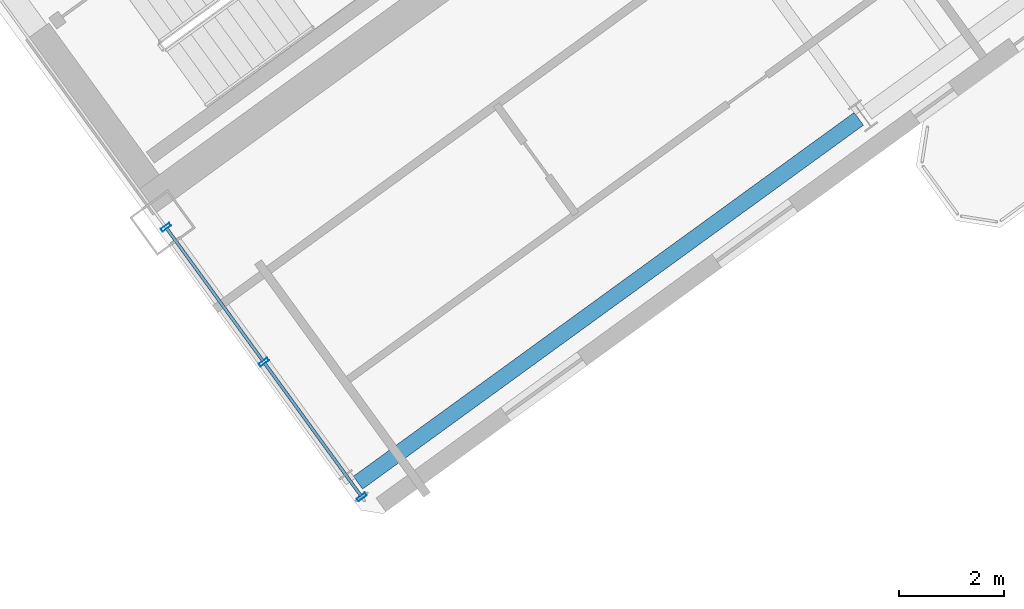
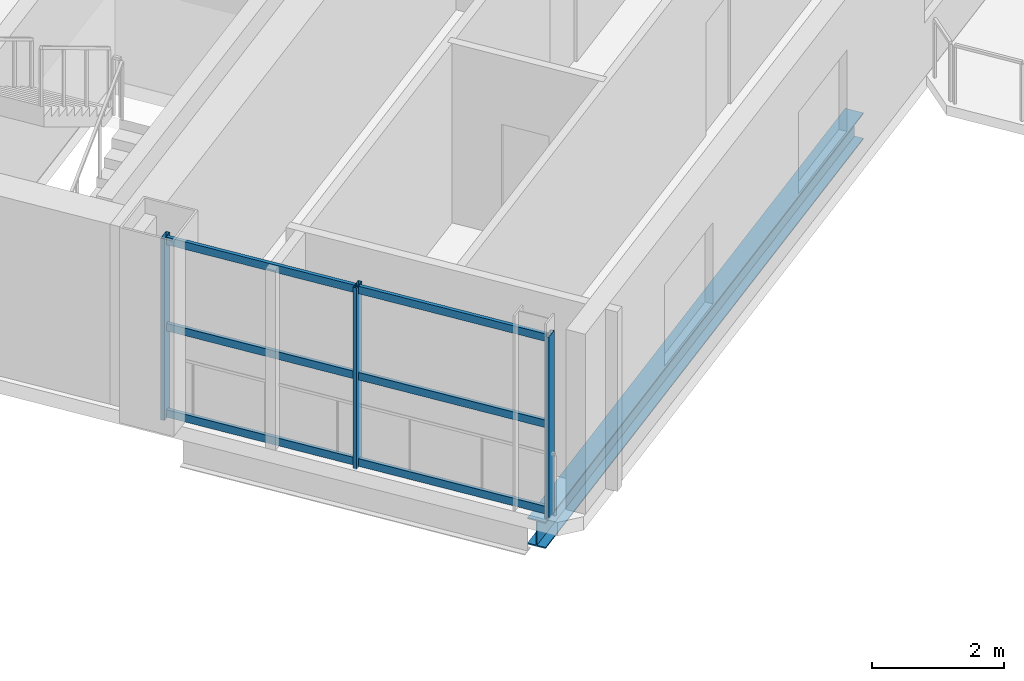
# One storey, part 8 of 18: 9 members, 1 beam, 1 element without a shape of its own.
"""IFC4 building model written with IfcOpenShell, lengths in metres."""

from ifc_helpers import new_model, si_unit, direction, frame, origin, origin_2d, place, context, subcontext, project, spatial, hollow_rectangle, i_section, extrude, source, transform, mapped, material, material_profile, profile_set, type_object, element, aggregate, save


model = new_model("IFC4")

# Units and contexts
model_context = context("Model", 3, precision=1e-05, world=origin(), true_north=direction((0.0, 1.0)))
body_context = subcontext(model_context, "Body", "Model", "MODEL_VIEW")
ifc_project = project(units=[si_unit("LENGTHUNIT", "METRE"), si_unit("AREAUNIT", "SQUARE_METRE"), si_unit("VOLUMEUNIT", "CUBIC_METRE"), si_unit("PLANEANGLEUNIT", "RADIAN"), si_unit("MASSUNIT", "GRAM", prefix="KILO")], contexts=[model_context])

# Site, building, storey
site_placement = place(None, origin())
site = spatial("IfcSite", under=ifc_project, at=site_placement, CompositionType="ELEMENT")
building_placement = place(site_placement, origin())
building = spatial("IfcBuilding", under=site, at=building_placement, Name="Tlacorven Tower", CompositionType="ELEMENT")
storey_placement = place(building_placement, frame((0.0, 0.0, 132.60009765625)))
storey = spatial("IfcBuildingStorey", under=building, at=storey_placement, Name="L33", CompositionType="ELEMENT", Elevation=132.60009765625)

# Beam
ifc_material_1 = material(Name="Steel S355J2", Category="steel")
ifc_material_profile_1 = material_profile(ifc_material_1, i_section(OverallWidth=0.300048828125, OverallDepth=0.489990234375, WebThickness=0.011962890625, FlangeThickness=0.02294921875, at=origin_2d()), Name="HEA 500")
ifc_profile_set_1 = profile_set([ifc_material_profile_1], Name="Steel S355J2")
beam_type = type_object("IfcBeamType", Name="BM-SPN-500", PredefinedType="SPANDREL", material=ifc_profile_set_1)
shared_shape_1 = source(origin(), body_context, "Body", "SweptSolid", [
    extrude(i_section(OverallWidth=0.300048828125, OverallDepth=0.489990234375, WebThickness=0.011962890625, FlangeThickness=0.02294921875, at=origin_2d()), origin(), (0.0, 0.0, 1.0), 11.800048828125),
])
beam_placement = place(storey_placement, frame((56.4306640625, 7.816162109375, -0.4951171875), z_axis=(0.80900977213, 0.587795192732, 0.0), x_axis=(-0.587795192732, 0.80900977213, 0.0)))
element("IfcBeam", 1, at=beam_placement, inside=storey, type_object=beam_type, Name="L33 beam BM-L33-EL1-1", PredefinedType="SPANDREL", context=body_context, shape_type="MappedRepresentation", body=[
    mapped(shared_shape_1, transform((0.0, 0.0, 0.0), scale=1.0)),
])

# Curtain wall, members
ifc_material_2 = material(Name="Dark solar low-E double glazing in aluminium frame", Category="aluminium")
curtain_wall_type = type_object("IfcCurtainWallType", Name="CW-TWR-MID", PredefinedType="USERDEFINED", material=ifc_material_2)
curtain_wall_placement = place(storey_placement, origin())
curtain_wall = element("IfcCurtainWall", 2, at=curtain_wall_placement, inside=storey, type_object=curtain_wall_type, Name="L33 CW-TWR-MID Curtain Wall 158", ObjectType="UNITISED CURTAIN WALL", PredefinedType="USERDEFINED")
ifc_material_3 = material(Name="Aluminium 6063-T6 anodised", Category="aluminium")
ifc_material_profile_2 = material_profile(ifc_material_3, hollow_rectangle(XDim=0.06005859375, YDim=0.139892578125, WallThickness=0.00390625, at=origin_2d()), Name="ALU TRANSOM 60X140")
ifc_profile_set_2 = profile_set([ifc_material_profile_2], Name="Aluminium 6063-T6 anodised")
member_type_1 = type_object("IfcMemberType", Name="CWT-02", PredefinedType="USERDEFINED", material=ifc_profile_set_2)
shared_shape_2 = source(origin(), body_context, "Body", "SweptSolid", [
    extrude(hollow_rectangle(XDim=0.06005859375, YDim=0.139892578125, WallThickness=0.00390625, at=origin_2d()), origin(), (0.0, 0.0, 1.0), 3.1357421875),
])
member_1_placement = place(storey_placement, frame((56.4912109375, 7.562744140625, 0.06982421875), z_axis=(-0.587810556927, 0.808998608877, 0.0), x_axis=(-0.808998608877, -0.587810556927, 0.0)))
member_1 = element("IfcMember", 3, at=member_1_placement, type_object=member_type_1, Name="CW-L33-158 Transom 1", ObjectType="TRANSOM", PredefinedType="USERDEFINED", context=body_context, shape_type="MappedRepresentation", body=[
    mapped(shared_shape_2, transform((0.0, 0.0, 0.0), scale=1.0)),
])
member_2_placement = place(storey_placement, frame((56.4912109375, 7.562744140625, 1.659912109375), z_axis=(-0.587810556927, 0.808998608877, 0.0), x_axis=(-0.808998608877, -0.587810556927, 0.0)))
member_2 = element("IfcMember", 4, at=member_2_placement, type_object=member_type_1, Name="CW-L33-158 Transom 2", ObjectType="TRANSOM", PredefinedType="USERDEFINED", context=body_context, shape_type="MappedRepresentation", body=[
    mapped(shared_shape_2, transform((0.0, 0.0, 0.0), scale=1.0)),
])
member_3_placement = place(storey_placement, frame((56.4912109375, 7.562744140625, 3.25), z_axis=(-0.587810556927, 0.808998608877, 0.0), x_axis=(-0.808998608877, -0.587810556927, 0.0)))
member_3 = element("IfcMember", 5, at=member_3_placement, type_object=member_type_1, Name="CW-L33-158 Transom 3", ObjectType="TRANSOM", PredefinedType="USERDEFINED", context=body_context, shape_type="MappedRepresentation", body=[
    mapped(shared_shape_2, transform((0.0, 0.0, 0.0), scale=1.0)),
])
member_4_placement = place(storey_placement, frame((54.623779296875, 10.1328125, 0.06982421875), z_axis=(-0.587722576724, 0.809062527132, 0.0), x_axis=(-0.809062527132, -0.587722576724, 0.0)))
member_4 = element("IfcMember", 6, at=member_4_placement, type_object=member_type_1, Name="CW-L33-158 Transom 4", ObjectType="TRANSOM", PredefinedType="USERDEFINED", context=body_context, shape_type="MappedRepresentation", body=[
    mapped(shared_shape_2, transform((0.0, 0.0, 0.0), scale=1.0)),
])
member_5_placement = place(storey_placement, frame((54.623779296875, 10.1328125, 1.659912109375), z_axis=(-0.587722576724, 0.809062527132, 0.0), x_axis=(-0.809062527132, -0.587722576724, 0.0)))
member_5 = element("IfcMember", 7, at=member_5_placement, type_object=member_type_1, Name="CW-L33-158 Transom 5", ObjectType="TRANSOM", PredefinedType="USERDEFINED", context=body_context, shape_type="MappedRepresentation", body=[
    mapped(shared_shape_2, transform((0.0, 0.0, 0.0), scale=1.0)),
])
member_6_placement = place(storey_placement, frame((54.623779296875, 10.1328125, 3.25), z_axis=(-0.587722576724, 0.809062527132, 0.0), x_axis=(-0.809062527132, -0.587722576724, 0.0)))
member_6 = element("IfcMember", 8, at=member_6_placement, type_object=member_type_1, Name="CW-L33-158 Transom 6", ObjectType="TRANSOM", PredefinedType="USERDEFINED", context=body_context, shape_type="MappedRepresentation", body=[
    mapped(shared_shape_2, transform((0.0, 0.0, 0.0), scale=1.0)),
])
ifc_material_profile_3 = material_profile(ifc_material_3, hollow_rectangle(XDim=0.06494140625, YDim=0.199951171875, WallThickness=0.00439453125, at=origin_2d()), Name="ALU MULLION 65X200")
ifc_profile_set_3 = profile_set([ifc_material_profile_3], Name="Aluminium 6063-T6 anodised")
member_type_2 = type_object("IfcMemberType", Name="CWM-02", PredefinedType="MULLION", material=ifc_profile_set_3)
shared_shape_3 = source(origin(), body_context, "Body", "SweptSolid", [
    extrude(hollow_rectangle(XDim=0.06494140625, YDim=0.199951171875, WallThickness=0.00439453125, at=origin_2d()), origin(), (0.0, 0.0, 1.0), 3.349853515625),
])
member_7_placement = place(storey_placement, frame((56.503173828125, 7.546142578125, -0.02001953125), z_axis=(0.0, 0.0, 1.0), x_axis=(-0.587785363163, 0.809016913823, 0.0)))
member_7 = element("IfcMember", 9, at=member_7_placement, type_object=member_type_2, Name="CW-L33-158 Mullion 1", PredefinedType="MULLION", context=body_context, shape_type="MappedRepresentation", body=[
    mapped(shared_shape_3, transform((0.0, 0.0, 0.0), scale=1.0)),
])
member_8_placement = place(storey_placement, frame((54.635986328125, 10.1162109375, -0.02001953125), z_axis=(0.0, 0.0, 1.0), x_axis=(-0.587785363163, 0.809016913823, 0.0)))
member_8 = element("IfcMember", 10, at=member_8_placement, type_object=member_type_2, Name="CW-L33-158 Mullion 2", PredefinedType="MULLION", context=body_context, shape_type="MappedRepresentation", body=[
    mapped(shared_shape_3, transform((0.0, 0.0, 0.0), scale=1.0)),
])
member_9_placement = place(storey_placement, frame((52.7685546875, 12.6865234375, -0.02001953125), z_axis=(0.0, 0.0, 1.0), x_axis=(-0.587785363163, 0.809016913823, 0.0)))
member_9 = element("IfcMember", 11, at=member_9_placement, type_object=member_type_2, Name="CW-L33-158 Mullion 3", PredefinedType="MULLION", context=body_context, shape_type="MappedRepresentation", body=[
    mapped(shared_shape_3, transform((0.0, 0.0, 0.0), scale=1.0)),
])
aggregate(curtain_wall, [member_7, member_8, member_9, member_1, member_2, member_3, member_4, member_5, member_6])

save(model, "model.ifc")
